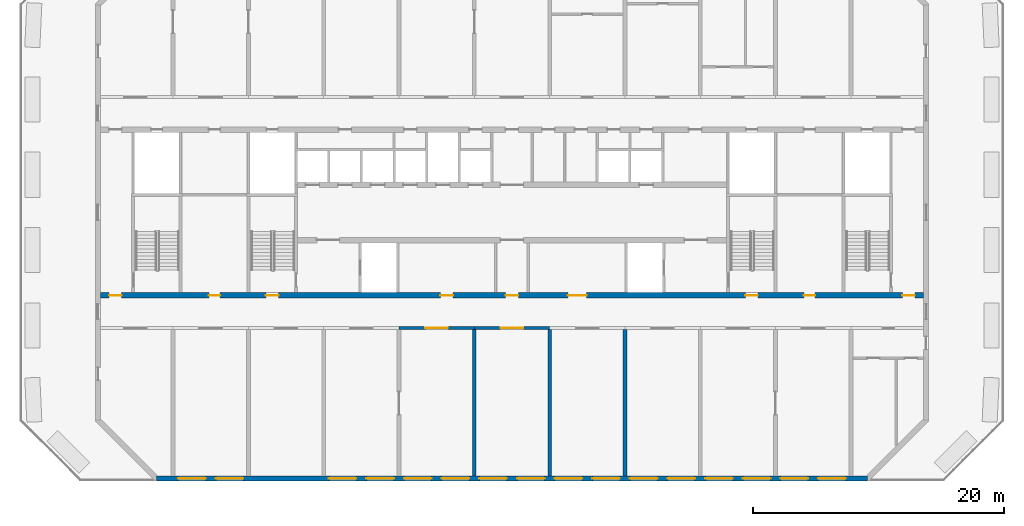
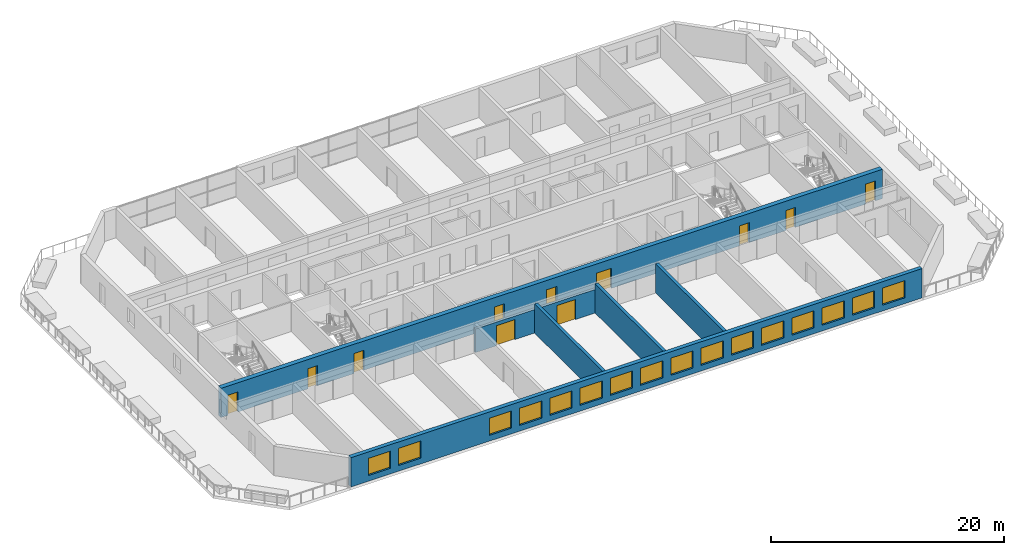
# One storey, part 5 of 14: 16 windows, 11 doors, 7 walls, 27 openings.
"""IFC4 building model written with IfcOpenShell, lengths in metres."""

import ifcopenshell
import ifcopenshell.guid

model = None  # the IFC model being written
_history = None  # IfcOwnerHistory: only IFC2X3 demands one
_inside = {}  # id of a spatial element -> (the spatial element, [elements in it])
_under = {}  # id of a project, library or spatial element -> (it, [spatial elements below it])
_declared = {}  # id of a project -> (the project, [libraries it declares])
_typed = {}  # id of a type object -> (the type object, [elements of that type])
_made_of = {}  # id of a material, layer set ... -> (it, [elements and type objects made of it])


def new_model(schema):
    """Start an empty IFC model of exactly this schema.

    Asked for "IFC4X3", IfcOpenShell would pick the latest addendum, in which some entities
    have other attributes; the version numbers below select the first issue.
    IFC2X3 requires an IfcOwnerHistory on every rooted entity: one is made here for all.
    """
    global model, _history
    if schema == "IFC4X3":
        model = ifcopenshell.file(schema_version=(4, 3, 0, 0))
    else:
        model = ifcopenshell.file(schema=schema)
    _inside.clear()
    _under.clear()
    _declared.clear()
    _typed.clear()
    _made_of.clear()
    _history = None
    if model.schema == "IFC2X3":
        org = make("IfcOrganization", Name="unknown")
        user = make(
            "IfcPersonAndOrganization",
            ThePerson=make("IfcPerson", FamilyName="unknown"),
            TheOrganization=org,
        )
        app = make(
            "IfcApplication",
            ApplicationDeveloper=org,
            Version="unknown",
            ApplicationFullName="unknown",
            ApplicationIdentifier="unknown",
        )
        _history = make(
            "IfcOwnerHistory",
            OwningUser=user,
            OwningApplication=app,
            ChangeAction="ADDED",
            CreationDate=0,
        )
    return model


def make(cls, **values):
    """One entity of the class cls with the attributes given. An attribute that is None is left unset."""
    return model.create_entity(
        cls, **{name: value for name, value in values.items() if value is not None}
    )


def rooted(cls, **values):
    """An entity with a GlobalId (a new one), such as an element, a storey or a relation."""
    return make(cls, GlobalId=ifcopenshell.guid.new(), OwnerHistory=_history, **values)


def si_unit(unit_type, name, prefix=None):
    """IfcSIUnit, for example si_unit("LENGTHUNIT", "METRE", prefix="MILLI")."""
    return make("IfcSIUnit", UnitType=unit_type, Prefix=prefix, Name=name)


def assignment(units):
    """IfcUnitAssignment: the units of a project."""
    return None if units is None else make("IfcUnitAssignment", Units=units)


def point(xyz):
    """IfcCartesianPoint."""
    return None if xyz is None else make("IfcCartesianPoint", Coordinates=xyz)


def direction(xyz):
    """IfcDirection."""
    return None if xyz is None else make("IfcDirection", DirectionRatios=xyz)


def frame(location, z_axis=None, x_axis=None):
    """IfcAxis2Placement3D, a coordinate frame: its origin and axes. An axis left out is left unset."""
    return make(
        "IfcAxis2Placement3D",
        Location=point(location),
        Axis=direction(z_axis),
        RefDirection=direction(x_axis),
    )


def frame_2d(location, x_axis=None):
    """IfcAxis2Placement2D, a coordinate frame in the plane: its origin and x axis."""
    return make(
        "IfcAxis2Placement2D", Location=point(location), RefDirection=direction(x_axis)
    )


def origin():
    """The frame at (0, 0, 0) with its axes left unset."""
    return frame((0.0, 0.0, 0.0))


def place(relative_to, where):
    """IfcLocalPlacement: puts the frame where relative to a parent placement (None: the world)."""
    return make(
        "IfcLocalPlacement", PlacementRelTo=relative_to, RelativePlacement=where
    )


def context(
    kind, dimensions, precision=None, world=None, true_north=None, identifier=None
):
    """IfcGeometricRepresentationContext, for example the 3D "Model" context."""
    return make(
        "IfcGeometricRepresentationContext",
        ContextIdentifier=identifier,
        ContextType=kind,
        CoordinateSpaceDimension=dimensions,
        Precision=precision,
        WorldCoordinateSystem=world,
        TrueNorth=true_north,
    )


def subcontext(parent, identifier, kind, view, scale=None):
    """IfcGeometricRepresentationSubContext, for example "Body" below "Model"."""
    return make(
        "IfcGeometricRepresentationSubContext",
        ContextIdentifier=identifier,
        ContextType=kind,
        ParentContext=parent,
        TargetScale=scale,
        TargetView=view,
    )


def project(units=None, contexts=None):
    """IfcProject with its units and contexts."""
    return rooted(
        "IfcProject",
        Name="project",
        RepresentationContexts=contexts,
        UnitsInContext=assignment(units),
    )


def spatial(cls, under=None, at=None, **own):
    """A site, building, storey or space (cls), placed at a placement, below another one or the project."""
    s = rooted(cls, ObjectPlacement=at, **own)
    if under is not None:
        _under.setdefault(under.id(), (under, []))[1].append(s)
    return s


def profile(cls, at=None, kind="AREA", **sizes):
    """A parametric profile (cls). Its sizes go by their IFC names, for example OverallWidth=200.0."""
    return make(cls, ProfileType=kind, Position=at, **sizes)


def rectangle(**sizes):
    """IfcRectangleProfileDef."""
    return profile("IfcRectangleProfileDef", **sizes)


def extrude(swept, where, along, depth):
    """IfcExtrudedAreaSolid: the profile swept, set in the frame where, extruded along a direction by depth."""
    return make(
        "IfcExtrudedAreaSolid",
        SweptArea=swept,
        Position=where,
        ExtrudedDirection=direction(along),
        Depth=depth,
    )


def shape(context_of_items, identifier, shape_type, items):
    """IfcShapeRepresentation: the items that make up one representation, for example the "Body"."""
    return make(
        "IfcShapeRepresentation",
        ContextOfItems=context_of_items,
        RepresentationIdentifier=identifier,
        RepresentationType=shape_type,
        Items=items,
    )


def material(Name=None, Category=None):
    """IfcMaterial."""
    return make("IfcMaterial", Name=Name, Category=Category)


def layer(
    of_material, thickness, ventilated=None, Name=None, Category=None, Priority=None
):
    """IfcMaterialLayer: one layer of a wall or slab, of a material (None: an air gap)."""
    return make(
        "IfcMaterialLayer",
        Material=of_material,
        LayerThickness=thickness,
        IsVentilated=ventilated,
        Name=Name,
        Category=Category,
        Priority=Priority,
    )


def layer_set(layers, Name=None):
    """IfcMaterialLayerSet."""
    return make("IfcMaterialLayerSet", MaterialLayers=layers, LayerSetName=Name)


def made_of(thing, what):
    """Note that an element or type object is made of a material, layer set ...; save() writes the relation."""
    if what is not None:
        _made_of.setdefault(what.id(), (what, []))[1].append(thing)
    return thing


def type_object(cls, material=None, **own):
    """A type object (cls), such as IfcWallType, which elements share."""
    return made_of(rooted(cls, **own), material)


def element(
    cls,
    number,
    at=None,
    inside=None,
    cuts=None,
    type_object=None,
    material=None,
    context=None,
    identifier="Body",
    shape_type=None,
    held_by="IfcProductDefinitionShape",
    body=None,
    shapes=None,
    **own,
):
    """One element of the class cls, such as IfcWall. Its Tag is "e" and its number.

    at: its placement. inside: the storey or other place that contains it. cuts: it is an
    opening in that element (IfcRelVoidsElement). A single representation is given by context,
    identifier, shape_type and body (its items); several are given by shapes. held_by: the class
    of the entity that holds the representations. save() writes the other relations.
    """
    e = rooted(cls, Tag="e%d" % number, ObjectPlacement=at, **own)
    if body is not None:
        shapes = [shape(context, identifier, shape_type, body)]
    if shapes is not None:
        e.Representation = make(held_by, Representations=shapes)
    if inside is not None:
        _inside.setdefault(inside.id(), (inside, []))[1].append(e)
    if cuts is not None:
        rooted(
            "IfcRelVoidsElement", RelatingBuildingElement=cuts, RelatedOpeningElement=e
        )
    if type_object is not None:
        _typed.setdefault(type_object.id(), (type_object, []))[1].append(e)
    return made_of(e, material)


def fill(opening, filler):
    """IfcRelFillsElement: the door or window that sits in an opening."""
    return rooted(
        "IfcRelFillsElement",
        RelatingOpeningElement=opening,
        RelatedBuildingElement=filler,
    )


def aggregate(whole, parts):
    """IfcRelAggregates: a whole, such as a stair, and the parts it consists of."""
    return rooted("IfcRelAggregates", RelatingObject=whole, RelatedObjects=parts)


def save(model, path):
    """Write the relations noted so far, then the file.

    IfcRelAggregates (storeys below a building ...), IfcRelContainedInSpatialStructure (elements
    in a storey), IfcRelDefinesByType, IfcRelAssociatesMaterial and IfcRelDeclares: one each for
    every whole, place, type object, material and project.
    """
    for whole, parts in _under.values():
        aggregate(whole, parts)
    for where, things in _inside.values():
        rooted(
            "IfcRelContainedInSpatialStructure",
            RelatedElements=things,
            RelatingStructure=where,
        )
    for kind, things in _typed.values():
        rooted("IfcRelDefinesByType", RelatedObjects=things, RelatingType=kind)
    for what, things in _made_of.values():
        rooted("IfcRelAssociatesMaterial", RelatedObjects=things, RelatingMaterial=what)
    for by, libraries in _declared.values():
        rooted("IfcRelDeclares", RelatingContext=by, RelatedDefinitions=libraries)
    model.write(path)


model = new_model("IFC4")

# Units and contexts
model_context = context("Model", 3, precision=1e-05, world=origin(), true_north=direction((0.0, 1.0)))
body_context = subcontext(model_context, "Body", "Model", "MODEL_VIEW")
ifc_project = project(units=[si_unit("LENGTHUNIT", "METRE"), si_unit("AREAUNIT", "SQUARE_METRE"), si_unit("VOLUMEUNIT", "CUBIC_METRE"), si_unit("PLANEANGLEUNIT", "RADIAN"), si_unit("MASSUNIT", "GRAM", prefix="KILO")], contexts=[model_context])

# Site, building, storey
site_placement = place(None, origin())
site = spatial("IfcSite", under=ifc_project, at=site_placement, CompositionType="ELEMENT")
building_placement = place(site_placement, origin())
building = spatial("IfcBuilding", under=site, at=building_placement, Name="Poui Terraces", CompositionType="ELEMENT")
storey_placement = place(building_placement, frame((0.0, 0.0, 158.699951171875)))
storey = spatial("IfcBuildingStorey", under=building, at=storey_placement, Name="L44", CompositionType="ELEMENT", Elevation=158.699951171875)

# Wall, opening, door
ifc_material_1 = material(Name="Concrete 65 MPa", Category="concrete")
ifc_layer_1 = layer(ifc_material_1, 0.25)
ifc_layer_set_1 = layer_set([ifc_layer_1], Name="Concrete 65 MPa")
wall_type_1 = type_object("IfcWallType", Name="CORRIDOR WALL 250 65MPa", PredefinedType="SHEAR", material=ifc_layer_set_1)
wall_1_placement = place(storey_placement, frame((42.0, 12.0, 0.0), z_axis=(0.0, 0.0, 1.0), x_axis=(1.0, 0.0, 0.0)))
wall_1 = element("IfcWall", 1, at=wall_1_placement, inside=storey, type_object=wall_type_1, Name="CORRIDOR WALL LINE B BAY 5", PredefinedType="SHEAR", context=body_context, shape_type="SweptSolid", body=[
    extrude(rectangle(XDim=6.0, YDim=0.25, at=frame_2d((3.0, 0.0))), origin(), (0.0, 0.0, 1.0), 2.469970703125),
])
opening_1_placement = place(wall_1_placement, frame((2.10009765625, 0.0, 0.0)))
opening_1 = element("IfcOpeningElement", 2, at=opening_1_placement, cuts=wall_1, Name="Opening DD180", PredefinedType="OPENING", context=body_context, shape_type="SweptSolid", body=[
    extrude(rectangle(XDim=1.800048828125, YDim=2.10009765625, at=frame_2d((0.89990234375, 1.050048828125))), frame((0.0, 0.135009765625, 0.0), z_axis=(0.0, -1.0, 0.0), x_axis=(1.0, 0.0, 0.0)), (0.0, 0.0, 1.0), 0.27001953125),
])
ifc_material_2 = material(Name="Steel fire door", Category="steel")
door_type_1 = type_object("IfcDoorType", Name="DOUBLE INTERNAL DOOR 1800 X 2100", OperationType="DOUBLE_DOOR_SINGLE_SWING", PredefinedType="DOOR", material=ifc_material_2)
door_1_placement = place(opening_1_placement, origin())
door_1 = element("IfcDoor", 3, at=door_1_placement, inside=storey, type_object=door_type_1, Name="DOUBLE INTERNAL DOOR 036", OperationType="DOUBLE_DOOR_SINGLE_SWING", OverallHeight=2.10009765625, OverallWidth=1.800048828125, PredefinedType="DOOR", context=body_context, shape_type="SweptSolid", body=[
    extrude(rectangle(XDim=1.800048828125, YDim=2.10009765625, at=frame_2d((0.89990234375, 1.050048828125))), frame((0.0, 0.02490234375, 0.0), z_axis=(0.0, -1.0, 0.0), x_axis=(1.0, 0.0, 0.0)), (0.0, 0.0, 1.0), 0.050048828125),
])
fill(opening_1, door_1)

wall_2_placement = place(storey_placement, frame((48.0, 12.0, 0.0), z_axis=(0.0, 0.0, 1.0), x_axis=(1.0, 0.0, 0.0)))
wall_2 = element("IfcWall", 4, at=wall_2_placement, inside=storey, type_object=wall_type_1, Name="CORRIDOR WALL LINE B BAY 6", PredefinedType="SHEAR", context=body_context, shape_type="SweptSolid", body=[
    extrude(rectangle(XDim=6.0, YDim=0.25, at=frame_2d((3.0, 0.0))), origin(), (0.0, 0.0, 1.0), 2.469970703125),
])
opening_2_placement = place(wall_2_placement, frame((2.10009765625, 0.0, 0.0)))
opening_2 = element("IfcOpeningElement", 5, at=opening_2_placement, cuts=wall_2, Name="Opening DD180", PredefinedType="OPENING", context=body_context, shape_type="SweptSolid", body=[
    extrude(rectangle(XDim=1.800048828125, YDim=2.10009765625, at=frame_2d((0.89990234375, 1.050048828125))), frame((0.0, 0.135009765625, 0.0), z_axis=(0.0, -1.0, 0.0), x_axis=(1.0, 0.0, 0.0)), (0.0, 0.0, 1.0), 0.27001953125),
])
door_2_placement = place(opening_2_placement, origin())
door_2 = element("IfcDoor", 6, at=door_2_placement, inside=storey, type_object=door_type_1, Name="DOUBLE INTERNAL DOOR 038", OperationType="DOUBLE_DOOR_SINGLE_SWING", OverallHeight=2.10009765625, OverallWidth=1.800048828125, PredefinedType="DOOR", context=body_context, shape_type="SweptSolid", body=[
    extrude(rectangle(XDim=1.800048828125, YDim=2.10009765625, at=frame_2d((0.89990234375, 1.050048828125))), frame((0.0, 0.02490234375, 0.0), z_axis=(0.0, -1.0, 0.0), x_axis=(1.0, 0.0, 0.0)), (0.0, 0.0, 1.0), 0.050048828125),
])
fill(opening_2, door_2)

# Walls
ifc_layer_2 = layer(ifc_material_1, 0.300048828125)
ifc_layer_set_2 = layer_set([ifc_layer_2], Name="Concrete 65 MPa")
wall_type_2 = type_object("IfcWallType", Name="CROSS WALL 300 65MPa", PredefinedType="SHEAR", material=ifc_layer_set_2)
for number, where, z_axis, x_axis, name in (
    (7, (48.0, 0.199951171875, 0.0), (0.0, 0.0, 1.0), (0.0, 1.0, 0.0), "CROSS WALL LINE 9 SOUTH"),
    (8, (54.0, 0.199951171875, 0.0), (0.0, 0.0, 1.0), (0.0, 1.0, 0.0), "CROSS WALL LINE 10 SOUTH"),
    (9, (60.0, 0.199951171875, 0.0), (0.0, 0.0, 1.0), (0.0, 1.0, 0.0), "CROSS WALL LINE 11 SOUTH"),
):
    element("IfcWall", number, at=place(storey_placement, frame(where, z_axis=z_axis, x_axis=x_axis)), inside=storey, type_object=wall_type_2, Name=name, PredefinedType="SHEAR", context=body_context, shape_type="SweptSolid", body=[
        extrude(rectangle(XDim=11.675048828125, YDim=0.300048828125, at=frame_2d((5.83740234375, 0.0))), origin(), (0.0, 0.0, 1.0), 3.070068359375),
    ])

# Wall, openings, windows
ifc_material_3 = material(Name="Precast concrete 40 MPa", Category="concrete")
ifc_layer_3 = layer(ifc_material_3, 0.39990234375)
ifc_layer_set_3 = layer_set([ifc_layer_3], Name="Precast concrete 40 MPa")
wall_type_3 = type_object("IfcWallType", Name="EXTERNAL WALL 400", PredefinedType="STANDARD", material=ifc_layer_set_3)
wall_3_placement = place(storey_placement, frame((22.682861328125, 0.0, 0.0), z_axis=(0.0, 0.0, 1.0), x_axis=(1.0, 0.0, 0.0)))
wall_3 = element("IfcWall", 10, at=wall_3_placement, inside=storey, type_object=wall_type_3, Name="EXTERNAL WALL S", PredefinedType="STANDARD", context=body_context, shape_type="SweptSolid", body=[
    extrude(rectangle(XDim=56.63427734375, YDim=0.39990234375, at=frame_2d((28.317138671875, 0.0))), origin(), (0.0, 0.0, 1.0), 3.070068359375),
])
opening_3_placement = place(wall_3_placement, frame((1.71728515625, 0.0, 0.60009765625)))
opening_3 = element("IfcOpeningElement", 11, at=opening_3_placement, cuts=wall_3, Name="Opening W3", PredefinedType="OPENING", context=body_context, shape_type="SweptSolid", body=[
    extrude(rectangle(XDim=2.199951171875, YDim=1.800048828125, at=frame_2d((1.10009765625, 0.89990234375))), frame((0.0, 0.2099609375, 0.0), z_axis=(0.0, -1.0, 0.0), x_axis=(1.0, 0.0, 0.0)), (0.0, 0.0, 1.0), 0.419921875),
])
opening_4_placement = place(wall_3_placement, frame((4.71728515625, 0.0, 0.60009765625)))
opening_4 = element("IfcOpeningElement", 12, at=opening_4_placement, cuts=wall_3, Name="Opening W3", PredefinedType="OPENING", context=body_context, shape_type="SweptSolid", body=[
    extrude(rectangle(XDim=2.199951171875, YDim=1.800048828125, at=frame_2d((1.10009765625, 0.89990234375))), frame((0.0, 0.2099609375, 0.0), z_axis=(0.0, -1.0, 0.0), x_axis=(1.0, 0.0, 0.0)), (0.0, 0.0, 1.0), 0.419921875),
])
opening_5_placement = place(wall_3_placement, frame((13.71728515625, 0.0, 0.60009765625)))
opening_5 = element("IfcOpeningElement", 13, at=opening_5_placement, cuts=wall_3, Name="Opening W3", PredefinedType="OPENING", context=body_context, shape_type="SweptSolid", body=[
    extrude(rectangle(XDim=2.199951171875, YDim=1.800048828125, at=frame_2d((1.10009765625, 0.89990234375))), frame((0.0, 0.2099609375, 0.0), z_axis=(0.0, -1.0, 0.0), x_axis=(1.0, 0.0, 0.0)), (0.0, 0.0, 1.0), 0.419921875),
])
opening_6_placement = place(wall_3_placement, frame((16.71728515625, 0.0, 0.60009765625)))
opening_6 = element("IfcOpeningElement", 14, at=opening_6_placement, cuts=wall_3, Name="Opening W3", PredefinedType="OPENING", context=body_context, shape_type="SweptSolid", body=[
    extrude(rectangle(XDim=2.199951171875, YDim=1.800048828125, at=frame_2d((1.10009765625, 0.89990234375))), frame((0.0, 0.2099609375, 0.0), z_axis=(0.0, -1.0, 0.0), x_axis=(1.0, 0.0, 0.0)), (0.0, 0.0, 1.0), 0.419921875),
])
opening_7_placement = place(wall_3_placement, frame((19.71728515625, 0.0, 0.60009765625)))
opening_7 = element("IfcOpeningElement", 15, at=opening_7_placement, cuts=wall_3, Name="Opening W3", PredefinedType="OPENING", context=body_context, shape_type="SweptSolid", body=[
    extrude(rectangle(XDim=2.199951171875, YDim=1.800048828125, at=frame_2d((1.10009765625, 0.89990234375))), frame((0.0, 0.2099609375, 0.0), z_axis=(0.0, -1.0, 0.0), x_axis=(1.0, 0.0, 0.0)), (0.0, 0.0, 1.0), 0.419921875),
])
opening_8_placement = place(wall_3_placement, frame((22.71728515625, 0.0, 0.60009765625)))
opening_8 = element("IfcOpeningElement", 16, at=opening_8_placement, cuts=wall_3, Name="Opening W3", PredefinedType="OPENING", context=body_context, shape_type="SweptSolid", body=[
    extrude(rectangle(XDim=2.199951171875, YDim=1.800048828125, at=frame_2d((1.10009765625, 0.89990234375))), frame((0.0, 0.2099609375, 0.0), z_axis=(0.0, -1.0, 0.0), x_axis=(1.0, 0.0, 0.0)), (0.0, 0.0, 1.0), 0.419921875),
])
opening_9_placement = place(wall_3_placement, frame((25.71728515625, 0.0, 0.60009765625)))
opening_9 = element("IfcOpeningElement", 17, at=opening_9_placement, cuts=wall_3, Name="Opening W3", PredefinedType="OPENING", context=body_context, shape_type="SweptSolid", body=[
    extrude(rectangle(XDim=2.199951171875, YDim=1.800048828125, at=frame_2d((1.10009765625, 0.89990234375))), frame((0.0, 0.2099609375, 0.0), z_axis=(0.0, -1.0, 0.0), x_axis=(1.0, 0.0, 0.0)), (0.0, 0.0, 1.0), 0.419921875),
])
opening_10_placement = place(wall_3_placement, frame((28.71728515625, 0.0, 0.60009765625)))
opening_10 = element("IfcOpeningElement", 18, at=opening_10_placement, cuts=wall_3, Name="Opening W3", PredefinedType="OPENING", context=body_context, shape_type="SweptSolid", body=[
    extrude(rectangle(XDim=2.199951171875, YDim=1.800048828125, at=frame_2d((1.10009765625, 0.89990234375))), frame((0.0, 0.2099609375, 0.0), z_axis=(0.0, -1.0, 0.0), x_axis=(1.0, 0.0, 0.0)), (0.0, 0.0, 1.0), 0.419921875),
])
opening_11_placement = place(wall_3_placement, frame((31.71728515625, 0.0, 0.60009765625)))
opening_11 = element("IfcOpeningElement", 19, at=opening_11_placement, cuts=wall_3, Name="Opening W3", PredefinedType="OPENING", context=body_context, shape_type="SweptSolid", body=[
    extrude(rectangle(XDim=2.199951171875, YDim=1.800048828125, at=frame_2d((1.10009765625, 0.89990234375))), frame((0.0, 0.2099609375, 0.0), z_axis=(0.0, -1.0, 0.0), x_axis=(1.0, 0.0, 0.0)), (0.0, 0.0, 1.0), 0.419921875),
])
opening_12_placement = place(wall_3_placement, frame((34.71728515625, 0.0, 0.60009765625)))
opening_12 = element("IfcOpeningElement", 20, at=opening_12_placement, cuts=wall_3, Name="Opening W3", PredefinedType="OPENING", context=body_context, shape_type="SweptSolid", body=[
    extrude(rectangle(XDim=2.199951171875, YDim=1.800048828125, at=frame_2d((1.10009765625, 0.89990234375))), frame((0.0, 0.2099609375, 0.0), z_axis=(0.0, -1.0, 0.0), x_axis=(1.0, 0.0, 0.0)), (0.0, 0.0, 1.0), 0.419921875),
])
opening_13_placement = place(wall_3_placement, frame((37.71728515625, 0.0, 0.60009765625)))
opening_13 = element("IfcOpeningElement", 21, at=opening_13_placement, cuts=wall_3, Name="Opening W3", PredefinedType="OPENING", context=body_context, shape_type="SweptSolid", body=[
    extrude(rectangle(XDim=2.199951171875, YDim=1.800048828125, at=frame_2d((1.10009765625, 0.89990234375))), frame((0.0, 0.2099609375, 0.0), z_axis=(0.0, -1.0, 0.0), x_axis=(1.0, 0.0, 0.0)), (0.0, 0.0, 1.0), 0.419921875),
])
opening_14_placement = place(wall_3_placement, frame((40.71728515625, 0.0, 0.60009765625)))
opening_14 = element("IfcOpeningElement", 22, at=opening_14_placement, cuts=wall_3, Name="Opening W3", PredefinedType="OPENING", context=body_context, shape_type="SweptSolid", body=[
    extrude(rectangle(XDim=2.199951171875, YDim=1.800048828125, at=frame_2d((1.10009765625, 0.89990234375))), frame((0.0, 0.2099609375, 0.0), z_axis=(0.0, -1.0, 0.0), x_axis=(1.0, 0.0, 0.0)), (0.0, 0.0, 1.0), 0.419921875),
])
opening_15_placement = place(wall_3_placement, frame((43.71728515625, 0.0, 0.60009765625)))
opening_15 = element("IfcOpeningElement", 23, at=opening_15_placement, cuts=wall_3, Name="Opening W3", PredefinedType="OPENING", context=body_context, shape_type="SweptSolid", body=[
    extrude(rectangle(XDim=2.199951171875, YDim=1.800048828125, at=frame_2d((1.10009765625, 0.89990234375))), frame((0.0, 0.2099609375, 0.0), z_axis=(0.0, -1.0, 0.0), x_axis=(1.0, 0.0, 0.0)), (0.0, 0.0, 1.0), 0.419921875),
])
opening_16_placement = place(wall_3_placement, frame((46.71728515625, 0.0, 0.60009765625)))
opening_16 = element("IfcOpeningElement", 24, at=opening_16_placement, cuts=wall_3, Name="Opening W3", PredefinedType="OPENING", context=body_context, shape_type="SweptSolid", body=[
    extrude(rectangle(XDim=2.199951171875, YDim=1.800048828125, at=frame_2d((1.10009765625, 0.89990234375))), frame((0.0, 0.2099609375, 0.0), z_axis=(0.0, -1.0, 0.0), x_axis=(1.0, 0.0, 0.0)), (0.0, 0.0, 1.0), 0.419921875),
])
opening_17_placement = place(wall_3_placement, frame((49.71728515625, 0.0, 0.60009765625)))
opening_17 = element("IfcOpeningElement", 25, at=opening_17_placement, cuts=wall_3, Name="Opening W3", PredefinedType="OPENING", context=body_context, shape_type="SweptSolid", body=[
    extrude(rectangle(XDim=2.199951171875, YDim=1.800048828125, at=frame_2d((1.10009765625, 0.89990234375))), frame((0.0, 0.2099609375, 0.0), z_axis=(0.0, -1.0, 0.0), x_axis=(1.0, 0.0, 0.0)), (0.0, 0.0, 1.0), 0.419921875),
])
opening_18_placement = place(wall_3_placement, frame((52.71728515625, 0.0, 0.60009765625)))
opening_18 = element("IfcOpeningElement", 26, at=opening_18_placement, cuts=wall_3, Name="Opening W3", PredefinedType="OPENING", context=body_context, shape_type="SweptSolid", body=[
    extrude(rectangle(XDim=2.199951171875, YDim=1.800048828125, at=frame_2d((1.10009765625, 0.89990234375))), frame((0.0, 0.2099609375, 0.0), z_axis=(0.0, -1.0, 0.0), x_axis=(1.0, 0.0, 0.0)), (0.0, 0.0, 1.0), 0.419921875),
])
ifc_material_4 = material(Name="Clear glass in aluminium frame", Category="aluminium")
window_type = type_object("IfcWindowType", Name="WINDOW 2200X1800", PartitioningType="DOUBLE_PANEL_HORIZONTAL", PredefinedType="WINDOW", material=ifc_material_4)
window_1_placement = place(opening_3_placement, origin())
window_1 = element("IfcWindow", 27, at=window_1_placement, inside=storey, type_object=window_type, Name="W3 WINDOW", OverallHeight=1.800048828125, OverallWidth=2.199951171875, PartitioningType="DOUBLE_PANEL_HORIZONTAL", PredefinedType="WINDOW", context=body_context, shape_type="SweptSolid", body=[
    extrude(rectangle(XDim=2.199951171875, YDim=1.800048828125, at=frame_2d((1.10009765625, 0.89990234375))), frame((0.0, 0.030029296875, 0.0), z_axis=(0.0, -1.0, 0.0), x_axis=(1.0, 0.0, 0.0)), (0.0, 0.0, 1.0), 0.06005859375),
])
fill(opening_3, window_1)
window_2_placement = place(opening_4_placement, origin())
window_2 = element("IfcWindow", 28, at=window_2_placement, inside=storey, type_object=window_type, Name="W3 WINDOW", OverallHeight=1.800048828125, OverallWidth=2.199951171875, PartitioningType="DOUBLE_PANEL_HORIZONTAL", PredefinedType="WINDOW", context=body_context, shape_type="SweptSolid", body=[
    extrude(rectangle(XDim=2.199951171875, YDim=1.800048828125, at=frame_2d((1.10009765625, 0.89990234375))), frame((0.0, 0.030029296875, 0.0), z_axis=(0.0, -1.0, 0.0), x_axis=(1.0, 0.0, 0.0)), (0.0, 0.0, 1.0), 0.06005859375),
])
fill(opening_4, window_2)
window_3_placement = place(opening_5_placement, origin())
window_3 = element("IfcWindow", 29, at=window_3_placement, inside=storey, type_object=window_type, Name="W3 WINDOW", OverallHeight=1.800048828125, OverallWidth=2.199951171875, PartitioningType="DOUBLE_PANEL_HORIZONTAL", PredefinedType="WINDOW", context=body_context, shape_type="SweptSolid", body=[
    extrude(rectangle(XDim=2.199951171875, YDim=1.800048828125, at=frame_2d((1.10009765625, 0.89990234375))), frame((0.0, 0.030029296875, 0.0), z_axis=(0.0, -1.0, 0.0), x_axis=(1.0, 0.0, 0.0)), (0.0, 0.0, 1.0), 0.06005859375),
])
fill(opening_5, window_3)
window_4_placement = place(opening_6_placement, origin())
window_4 = element("IfcWindow", 30, at=window_4_placement, inside=storey, type_object=window_type, Name="W3 WINDOW", OverallHeight=1.800048828125, OverallWidth=2.199951171875, PartitioningType="DOUBLE_PANEL_HORIZONTAL", PredefinedType="WINDOW", context=body_context, shape_type="SweptSolid", body=[
    extrude(rectangle(XDim=2.199951171875, YDim=1.800048828125, at=frame_2d((1.10009765625, 0.89990234375))), frame((0.0, 0.030029296875, 0.0), z_axis=(0.0, -1.0, 0.0), x_axis=(1.0, 0.0, 0.0)), (0.0, 0.0, 1.0), 0.06005859375),
])
fill(opening_6, window_4)
window_5_placement = place(opening_7_placement, origin())
window_5 = element("IfcWindow", 31, at=window_5_placement, inside=storey, type_object=window_type, Name="W3 WINDOW", OverallHeight=1.800048828125, OverallWidth=2.199951171875, PartitioningType="DOUBLE_PANEL_HORIZONTAL", PredefinedType="WINDOW", context=body_context, shape_type="SweptSolid", body=[
    extrude(rectangle(XDim=2.199951171875, YDim=1.800048828125, at=frame_2d((1.10009765625, 0.89990234375))), frame((0.0, 0.030029296875, 0.0), z_axis=(0.0, -1.0, 0.0), x_axis=(1.0, 0.0, 0.0)), (0.0, 0.0, 1.0), 0.06005859375),
])
fill(opening_7, window_5)
window_6_placement = place(opening_8_placement, origin())
window_6 = element("IfcWindow", 32, at=window_6_placement, inside=storey, type_object=window_type, Name="W3 WINDOW", OverallHeight=1.800048828125, OverallWidth=2.199951171875, PartitioningType="DOUBLE_PANEL_HORIZONTAL", PredefinedType="WINDOW", context=body_context, shape_type="SweptSolid", body=[
    extrude(rectangle(XDim=2.199951171875, YDim=1.800048828125, at=frame_2d((1.10009765625, 0.89990234375))), frame((0.0, 0.030029296875, 0.0), z_axis=(0.0, -1.0, 0.0), x_axis=(1.0, 0.0, 0.0)), (0.0, 0.0, 1.0), 0.06005859375),
])
fill(opening_8, window_6)
window_7_placement = place(opening_9_placement, origin())
window_7 = element("IfcWindow", 33, at=window_7_placement, inside=storey, type_object=window_type, Name="W3 WINDOW", OverallHeight=1.800048828125, OverallWidth=2.199951171875, PartitioningType="DOUBLE_PANEL_HORIZONTAL", PredefinedType="WINDOW", context=body_context, shape_type="SweptSolid", body=[
    extrude(rectangle(XDim=2.199951171875, YDim=1.800048828125, at=frame_2d((1.10009765625, 0.89990234375))), frame((0.0, 0.030029296875, 0.0), z_axis=(0.0, -1.0, 0.0), x_axis=(1.0, 0.0, 0.0)), (0.0, 0.0, 1.0), 0.06005859375),
])
fill(opening_9, window_7)
window_8_placement = place(opening_10_placement, origin())
window_8 = element("IfcWindow", 34, at=window_8_placement, inside=storey, type_object=window_type, Name="W3 WINDOW", OverallHeight=1.800048828125, OverallWidth=2.199951171875, PartitioningType="DOUBLE_PANEL_HORIZONTAL", PredefinedType="WINDOW", context=body_context, shape_type="SweptSolid", body=[
    extrude(rectangle(XDim=2.199951171875, YDim=1.800048828125, at=frame_2d((1.10009765625, 0.89990234375))), frame((0.0, 0.030029296875, 0.0), z_axis=(0.0, -1.0, 0.0), x_axis=(1.0, 0.0, 0.0)), (0.0, 0.0, 1.0), 0.06005859375),
])
fill(opening_10, window_8)
window_9_placement = place(opening_11_placement, origin())
window_9 = element("IfcWindow", 35, at=window_9_placement, inside=storey, type_object=window_type, Name="W3 WINDOW", OverallHeight=1.800048828125, OverallWidth=2.199951171875, PartitioningType="DOUBLE_PANEL_HORIZONTAL", PredefinedType="WINDOW", context=body_context, shape_type="SweptSolid", body=[
    extrude(rectangle(XDim=2.199951171875, YDim=1.800048828125, at=frame_2d((1.10009765625, 0.89990234375))), frame((0.0, 0.030029296875, 0.0), z_axis=(0.0, -1.0, 0.0), x_axis=(1.0, 0.0, 0.0)), (0.0, 0.0, 1.0), 0.06005859375),
])
fill(opening_11, window_9)
window_10_placement = place(opening_12_placement, origin())
window_10 = element("IfcWindow", 36, at=window_10_placement, inside=storey, type_object=window_type, Name="W3 WINDOW", OverallHeight=1.800048828125, OverallWidth=2.199951171875, PartitioningType="DOUBLE_PANEL_HORIZONTAL", PredefinedType="WINDOW", context=body_context, shape_type="SweptSolid", body=[
    extrude(rectangle(XDim=2.199951171875, YDim=1.800048828125, at=frame_2d((1.10009765625, 0.89990234375))), frame((0.0, 0.030029296875, 0.0), z_axis=(0.0, -1.0, 0.0), x_axis=(1.0, 0.0, 0.0)), (0.0, 0.0, 1.0), 0.06005859375),
])
fill(opening_12, window_10)
window_11_placement = place(opening_13_placement, origin())
window_11 = element("IfcWindow", 37, at=window_11_placement, inside=storey, type_object=window_type, Name="W3 WINDOW", OverallHeight=1.800048828125, OverallWidth=2.199951171875, PartitioningType="DOUBLE_PANEL_HORIZONTAL", PredefinedType="WINDOW", context=body_context, shape_type="SweptSolid", body=[
    extrude(rectangle(XDim=2.199951171875, YDim=1.800048828125, at=frame_2d((1.10009765625, 0.89990234375))), frame((0.0, 0.030029296875, 0.0), z_axis=(0.0, -1.0, 0.0), x_axis=(1.0, 0.0, 0.0)), (0.0, 0.0, 1.0), 0.06005859375),
])
fill(opening_13, window_11)
window_12_placement = place(opening_14_placement, origin())
window_12 = element("IfcWindow", 38, at=window_12_placement, inside=storey, type_object=window_type, Name="W3 WINDOW", OverallHeight=1.800048828125, OverallWidth=2.199951171875, PartitioningType="DOUBLE_PANEL_HORIZONTAL", PredefinedType="WINDOW", context=body_context, shape_type="SweptSolid", body=[
    extrude(rectangle(XDim=2.199951171875, YDim=1.800048828125, at=frame_2d((1.10009765625, 0.89990234375))), frame((0.0, 0.030029296875, 0.0), z_axis=(0.0, -1.0, 0.0), x_axis=(1.0, 0.0, 0.0)), (0.0, 0.0, 1.0), 0.06005859375),
])
fill(opening_14, window_12)
window_13_placement = place(opening_15_placement, origin())
window_13 = element("IfcWindow", 39, at=window_13_placement, inside=storey, type_object=window_type, Name="W3 WINDOW", OverallHeight=1.800048828125, OverallWidth=2.199951171875, PartitioningType="DOUBLE_PANEL_HORIZONTAL", PredefinedType="WINDOW", context=body_context, shape_type="SweptSolid", body=[
    extrude(rectangle(XDim=2.199951171875, YDim=1.800048828125, at=frame_2d((1.10009765625, 0.89990234375))), frame((0.0, 0.030029296875, 0.0), z_axis=(0.0, -1.0, 0.0), x_axis=(1.0, 0.0, 0.0)), (0.0, 0.0, 1.0), 0.06005859375),
])
fill(opening_15, window_13)
window_14_placement = place(opening_16_placement, origin())
window_14 = element("IfcWindow", 40, at=window_14_placement, inside=storey, type_object=window_type, Name="W3 WINDOW", OverallHeight=1.800048828125, OverallWidth=2.199951171875, PartitioningType="DOUBLE_PANEL_HORIZONTAL", PredefinedType="WINDOW", context=body_context, shape_type="SweptSolid", body=[
    extrude(rectangle(XDim=2.199951171875, YDim=1.800048828125, at=frame_2d((1.10009765625, 0.89990234375))), frame((0.0, 0.030029296875, 0.0), z_axis=(0.0, -1.0, 0.0), x_axis=(1.0, 0.0, 0.0)), (0.0, 0.0, 1.0), 0.06005859375),
])
fill(opening_16, window_14)
window_15_placement = place(opening_17_placement, origin())
window_15 = element("IfcWindow", 41, at=window_15_placement, inside=storey, type_object=window_type, Name="W3 WINDOW", OverallHeight=1.800048828125, OverallWidth=2.199951171875, PartitioningType="DOUBLE_PANEL_HORIZONTAL", PredefinedType="WINDOW", context=body_context, shape_type="SweptSolid", body=[
    extrude(rectangle(XDim=2.199951171875, YDim=1.800048828125, at=frame_2d((1.10009765625, 0.89990234375))), frame((0.0, 0.030029296875, 0.0), z_axis=(0.0, -1.0, 0.0), x_axis=(1.0, 0.0, 0.0)), (0.0, 0.0, 1.0), 0.06005859375),
])
fill(opening_17, window_15)
window_16_placement = place(opening_18_placement, origin())
window_16 = element("IfcWindow", 42, at=window_16_placement, inside=storey, type_object=window_type, Name="W3 WINDOW", OverallHeight=1.800048828125, OverallWidth=2.199951171875, PartitioningType="DOUBLE_PANEL_HORIZONTAL", PredefinedType="WINDOW", context=body_context, shape_type="SweptSolid", body=[
    extrude(rectangle(XDim=2.199951171875, YDim=1.800048828125, at=frame_2d((1.10009765625, 0.89990234375))), frame((0.0, 0.030029296875, 0.0), z_axis=(0.0, -1.0, 0.0), x_axis=(1.0, 0.0, 0.0)), (0.0, 0.0, 1.0), 0.06005859375),
])
fill(opening_18, window_16)

# Wall, openings, doors
ifc_layer_4 = layer(ifc_material_1, 0.449951171875)
ifc_layer_set_4 = layer_set([ifc_layer_4], Name="Concrete 65 MPa")
wall_type_4 = type_object("IfcWallType", Name="SPINE WALL 450 65 MPA", PredefinedType="SOLIDWALL", material=ifc_layer_set_4)
wall_4_placement = place(storey_placement, frame((18.199951171875, 14.60009765625, 0.0), z_axis=(0.0, 0.0, 1.0), x_axis=(1.0, 0.0, 0.0)))
wall_4 = element("IfcWall", 43, at=wall_4_placement, inside=storey, type_object=wall_type_4, Name="SPINE WALL", PredefinedType="SOLIDWALL", context=body_context, shape_type="SweptSolid", body=[
    extrude(rectangle(XDim=65.60009765625, YDim=0.449951171875, at=frame_2d((32.800048828125, 0.0))), origin(), (0.0, 0.0, 1.0), 3.070068359375),
])
opening_19_placement = place(wall_4_placement, frame((0.699951171875, 0.0, 0.0)))
opening_19 = element("IfcOpeningElement", 44, at=opening_19_placement, cuts=wall_4, Name="Opening FDL", PredefinedType="OPENING", context=body_context, shape_type="SweptSolid", body=[
    extrude(rectangle(XDim=1.0, YDim=2.10009765625, at=frame_2d((0.5, 1.050048828125))), frame((0.0, 0.23486328125, 0.0), z_axis=(0.0, -1.0, 0.0), x_axis=(1.0, 0.0, 0.0)), (0.0, 0.0, 1.0), 0.469970703125),
])
opening_20_placement = place(wall_4_placement, frame((8.64990234375, 0.0, 0.0)))
opening_20 = element("IfcOpeningElement", 45, at=opening_20_placement, cuts=wall_4, Name="Opening D90", PredefinedType="OPENING", context=body_context, shape_type="SweptSolid", body=[
    extrude(rectangle(XDim=0.89990234375, YDim=2.10009765625, at=frame_2d((0.449951171875, 1.050048828125))), frame((0.0, 0.23486328125, 0.0), z_axis=(0.0, -1.0, 0.0), x_axis=(1.0, 0.0, 0.0)), (0.0, 0.0, 1.0), 0.469970703125),
])
opening_21_placement = place(wall_4_placement, frame((13.199951171875, 0.0, 0.0)))
opening_21 = element("IfcOpeningElement", 46, at=opening_21_placement, cuts=wall_4, Name="Opening FD60S", PredefinedType="OPENING", context=body_context, shape_type="SweptSolid", body=[
    extrude(rectangle(XDim=1.0, YDim=2.10009765625, at=frame_2d((0.5, 1.050048828125))), frame((0.0, 0.23486328125, 0.0), z_axis=(0.0, -1.0, 0.0), x_axis=(1.0, 0.0, 0.0)), (0.0, 0.0, 1.0), 0.469970703125),
])
opening_22_placement = place(wall_4_placement, frame((27.10009765625, 0.0, 0.0)))
opening_22 = element("IfcOpeningElement", 47, at=opening_22_placement, cuts=wall_4, Name="Opening FD60", PredefinedType="OPENING", context=body_context, shape_type="SweptSolid", body=[
    extrude(rectangle(XDim=1.0, YDim=2.10009765625, at=frame_2d((0.5, 1.050048828125))), frame((0.0, 0.23486328125, 0.0), z_axis=(0.0, -1.0, 0.0), x_axis=(1.0, 0.0, 0.0)), (0.0, 0.0, 1.0), 0.469970703125),
])
opening_23_placement = place(wall_4_placement, frame((32.300048828125, 0.0, 0.0)))
opening_23 = element("IfcOpeningElement", 48, at=opening_23_placement, cuts=wall_4, Name="Opening FDL", PredefinedType="OPENING", context=body_context, shape_type="SweptSolid", body=[
    extrude(rectangle(XDim=1.0, YDim=2.10009765625, at=frame_2d((0.5, 1.050048828125))), frame((0.0, 0.23486328125, 0.0), z_axis=(0.0, -1.0, 0.0), x_axis=(1.0, 0.0, 0.0)), (0.0, 0.0, 1.0), 0.469970703125),
])
opening_24_placement = place(wall_4_placement, frame((37.25, 0.0, 0.0)))
opening_24 = element("IfcOpeningElement", 49, at=opening_24_placement, cuts=wall_4, Name="Opening FDP", PredefinedType="OPENING", context=body_context, shape_type="SweptSolid", body=[
    extrude(rectangle(XDim=1.5, YDim=2.10009765625, at=frame_2d((0.75, 1.050048828125))), frame((0.0, 0.23486328125, 0.0), z_axis=(0.0, -1.0, 0.0), x_axis=(1.0, 0.0, 0.0)), (0.0, 0.0, 1.0), 0.469970703125),
])
opening_25_placement = place(wall_4_placement, frame((51.39990234375, 0.0, 0.0)))
opening_25 = element("IfcOpeningElement", 50, at=opening_25_placement, cuts=wall_4, Name="Opening FD60S", PredefinedType="OPENING", context=body_context, shape_type="SweptSolid", body=[
    extrude(rectangle(XDim=1.0, YDim=2.10009765625, at=frame_2d((0.5, 1.050048828125))), frame((0.0, 0.23486328125, 0.0), z_axis=(0.0, -1.0, 0.0), x_axis=(1.0, 0.0, 0.0)), (0.0, 0.0, 1.0), 0.469970703125),
])
opening_26_placement = place(wall_4_placement, frame((56.050048828125, 0.0, 0.0)))
opening_26 = element("IfcOpeningElement", 51, at=opening_26_placement, cuts=wall_4, Name="Opening D90", PredefinedType="OPENING", context=body_context, shape_type="SweptSolid", body=[
    extrude(rectangle(XDim=0.89990234375, YDim=2.10009765625, at=frame_2d((0.449951171875, 1.050048828125))), frame((0.0, 0.23486328125, 0.0), z_axis=(0.0, -1.0, 0.0), x_axis=(1.0, 0.0, 0.0)), (0.0, 0.0, 1.0), 0.469970703125),
])
opening_27_placement = place(wall_4_placement, frame((63.89990234375, 0.0, 0.0)))
opening_27 = element("IfcOpeningElement", 52, at=opening_27_placement, cuts=wall_4, Name="Opening FDL", PredefinedType="OPENING", context=body_context, shape_type="SweptSolid", body=[
    extrude(rectangle(XDim=1.0, YDim=2.10009765625, at=frame_2d((0.5, 1.050048828125))), frame((0.0, 0.23486328125, 0.0), z_axis=(0.0, -1.0, 0.0), x_axis=(1.0, 0.0, 0.0)), (0.0, 0.0, 1.0), 0.469970703125),
])
ifc_material_5 = material(Name="Solid core timber door", Category="wood")
door_type_2 = type_object("IfcDoorType", Name="INTERNAL DOOR 900 X 2100", OperationType="NOTDEFINED", PredefinedType="DOOR", material=ifc_material_5)
door_3_placement = place(opening_20_placement, frame((0.89990234375, 0.0, 0.0), z_axis=(0.0, 0.0, 1.0), x_axis=(-1.0, 0.0, 0.0)))
door_3 = element("IfcDoor", 53, at=door_3_placement, inside=storey, type_object=door_type_2, Name="INTERNAL DOOR 032", OperationType="SINGLE_SWING_LEFT", OverallHeight=2.10009765625, OverallWidth=0.89990234375, PredefinedType="DOOR", context=body_context, shape_type="SweptSolid", body=[
    extrude(rectangle(XDim=0.89990234375, YDim=2.10009765625, at=frame_2d((0.449951171875, 1.050048828125))), frame((0.0, 0.02490234375, 0.0), z_axis=(0.0, -1.0, 0.0), x_axis=(1.0, 0.0, 0.0)), (0.0, 0.0, 1.0), 0.050048828125),
])
fill(opening_20, door_3)
door_4_placement = place(opening_26_placement, frame((0.89990234375, 0.0, 0.0), z_axis=(0.0, 0.0, 1.0), x_axis=(-1.0, 0.0, 0.0)))
door_4 = element("IfcDoor", 54, at=door_4_placement, inside=storey, type_object=door_type_2, Name="INTERNAL DOOR 045", OperationType="SINGLE_SWING_LEFT", OverallHeight=2.10009765625, OverallWidth=0.89990234375, PredefinedType="DOOR", context=body_context, shape_type="SweptSolid", body=[
    extrude(rectangle(XDim=0.89990234375, YDim=2.10009765625, at=frame_2d((0.449951171875, 1.050048828125))), frame((0.0, 0.02490234375, 0.0), z_axis=(0.0, -1.0, 0.0), x_axis=(1.0, 0.0, 0.0)), (0.0, 0.0, 1.0), 0.050048828125),
])
fill(opening_26, door_4)
door_type_3 = type_object("IfcDoorType", Name="LOBBY FIRE DOOR 1000 X 2100", OperationType="NOTDEFINED", PredefinedType="DOOR", material=ifc_material_2)
door_5_placement = place(opening_19_placement, frame((1.0, 0.0, 0.0), z_axis=(0.0, 0.0, 1.0), x_axis=(-1.0, 0.0, 0.0)))
door_5 = element("IfcDoor", 55, at=door_5_placement, inside=storey, type_object=door_type_3, Name="LOBBY FIRE DOOR 029", OperationType="SINGLE_SWING_RIGHT", OverallHeight=2.10009765625, OverallWidth=1.0, PredefinedType="DOOR", context=body_context, shape_type="SweptSolid", body=[
    extrude(rectangle(XDim=1.0, YDim=2.10009765625, at=frame_2d((0.5, 1.050048828125))), frame((0.0, 0.02490234375, 0.0), z_axis=(0.0, -1.0, 0.0), x_axis=(1.0, 0.0, 0.0)), (0.0, 0.0, 1.0), 0.050048828125),
])
fill(opening_19, door_5)
door_6_placement = place(opening_23_placement, frame((1.0, 0.0, 0.0), z_axis=(0.0, 0.0, 1.0), x_axis=(-1.0, 0.0, 0.0)))
door_6 = element("IfcDoor", 56, at=door_6_placement, inside=storey, type_object=door_type_3, Name="LOBBY FIRE DOOR 039", OperationType="SINGLE_SWING_LEFT", OverallHeight=2.10009765625, OverallWidth=1.0, PredefinedType="DOOR", context=body_context, shape_type="SweptSolid", body=[
    extrude(rectangle(XDim=1.0, YDim=2.10009765625, at=frame_2d((0.5, 1.050048828125))), frame((0.0, 0.02490234375, 0.0), z_axis=(0.0, -1.0, 0.0), x_axis=(1.0, 0.0, 0.0)), (0.0, 0.0, 1.0), 0.050048828125),
])
fill(opening_23, door_6)
door_7_placement = place(opening_27_placement, frame((1.0, 0.0, 0.0), z_axis=(0.0, 0.0, 1.0), x_axis=(-1.0, 0.0, 0.0)))
door_7 = element("IfcDoor", 57, at=door_7_placement, inside=storey, type_object=door_type_3, Name="LOBBY FIRE DOOR 048", OperationType="SINGLE_SWING_LEFT", OverallHeight=2.10009765625, OverallWidth=1.0, PredefinedType="DOOR", context=body_context, shape_type="SweptSolid", body=[
    extrude(rectangle(XDim=1.0, YDim=2.10009765625, at=frame_2d((0.5, 1.050048828125))), frame((0.0, 0.02490234375, 0.0), z_axis=(0.0, -1.0, 0.0), x_axis=(1.0, 0.0, 0.0)), (0.0, 0.0, 1.0), 0.050048828125),
])
fill(opening_27, door_7)
door_type_4 = type_object("IfcDoorType", Name="PLANT ROOM DOOR PAIR 1500 X 2100", OperationType="DOUBLE_DOOR_SINGLE_SWING", PredefinedType="DOOR", material=ifc_material_2)
door_8_placement = place(opening_24_placement, frame((1.5, 0.0, 0.0), z_axis=(0.0, 0.0, 1.0), x_axis=(-1.0, 0.0, 0.0)))
door_8 = element("IfcDoor", 58, at=door_8_placement, inside=storey, type_object=door_type_4, Name="PLANT ROOM DOOR PAIR 040", OperationType="DOUBLE_DOOR_SINGLE_SWING", OverallHeight=2.10009765625, OverallWidth=1.5, PredefinedType="DOOR", context=body_context, shape_type="SweptSolid", body=[
    extrude(rectangle(XDim=1.5, YDim=2.10009765625, at=frame_2d((0.75, 1.050048828125))), frame((0.0, 0.02490234375, 0.0), z_axis=(0.0, -1.0, 0.0), x_axis=(1.0, 0.0, 0.0)), (0.0, 0.0, 1.0), 0.050048828125),
])
fill(opening_24, door_8)
door_type_5 = type_object("IfcDoorType", Name="SERVICE ROOM FIRE DOOR 1000 X 2100", OperationType="NOTDEFINED", PredefinedType="DOOR", material=ifc_material_2)
door_9_placement = place(opening_22_placement, frame((1.0, 0.0, 0.0), z_axis=(0.0, 0.0, 1.0), x_axis=(-1.0, 0.0, 0.0)))
door_9 = element("IfcDoor", 59, at=door_9_placement, inside=storey, type_object=door_type_5, Name="SERVICE ROOM FIRE DOOR 037", OperationType="SINGLE_SWING_LEFT", OverallHeight=2.10009765625, OverallWidth=1.0, PredefinedType="DOOR", context=body_context, shape_type="SweptSolid", body=[
    extrude(rectangle(XDim=1.0, YDim=2.10009765625, at=frame_2d((0.5, 1.050048828125))), frame((0.0, 0.02490234375, 0.0), z_axis=(0.0, -1.0, 0.0), x_axis=(1.0, 0.0, 0.0)), (0.0, 0.0, 1.0), 0.050048828125),
])
fill(opening_22, door_9)
door_type_6 = type_object("IfcDoorType", Name="STAIR DOOR 1000 X 2100", OperationType="NOTDEFINED", PredefinedType="DOOR", material=ifc_material_2)
door_10_placement = place(opening_21_placement, origin())
door_10 = element("IfcDoor", 60, at=door_10_placement, inside=storey, type_object=door_type_6, Name="STAIR DOOR 033", OperationType="SINGLE_SWING_RIGHT", OverallHeight=2.10009765625, OverallWidth=1.0, PredefinedType="DOOR", context=body_context, shape_type="SweptSolid", body=[
    extrude(rectangle(XDim=1.0, YDim=2.10009765625, at=frame_2d((0.5, 1.050048828125))), frame((0.0, 0.02490234375, 0.0), z_axis=(0.0, -1.0, 0.0), x_axis=(1.0, 0.0, 0.0)), (0.0, 0.0, 1.0), 0.050048828125),
])
fill(opening_21, door_10)
door_11_placement = place(opening_25_placement, origin())
door_11 = element("IfcDoor", 61, at=door_11_placement, inside=storey, type_object=door_type_6, Name="STAIR DOOR 044", OperationType="SINGLE_SWING_RIGHT", OverallHeight=2.10009765625, OverallWidth=1.0, PredefinedType="DOOR", context=body_context, shape_type="SweptSolid", body=[
    extrude(rectangle(XDim=1.0, YDim=2.10009765625, at=frame_2d((0.5, 1.050048828125))), frame((0.0, 0.02490234375, 0.0), z_axis=(0.0, -1.0, 0.0), x_axis=(1.0, 0.0, 0.0)), (0.0, 0.0, 1.0), 0.050048828125),
])
fill(opening_25, door_11)

save(model, "model.ifc")
